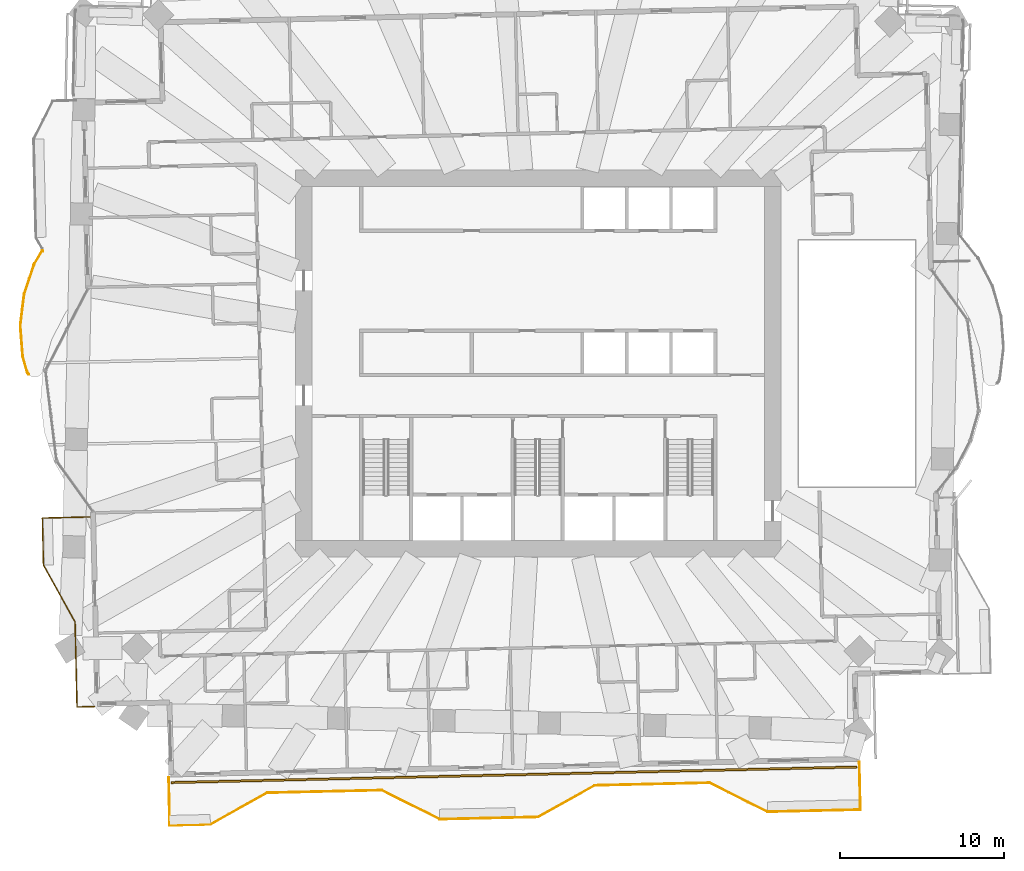
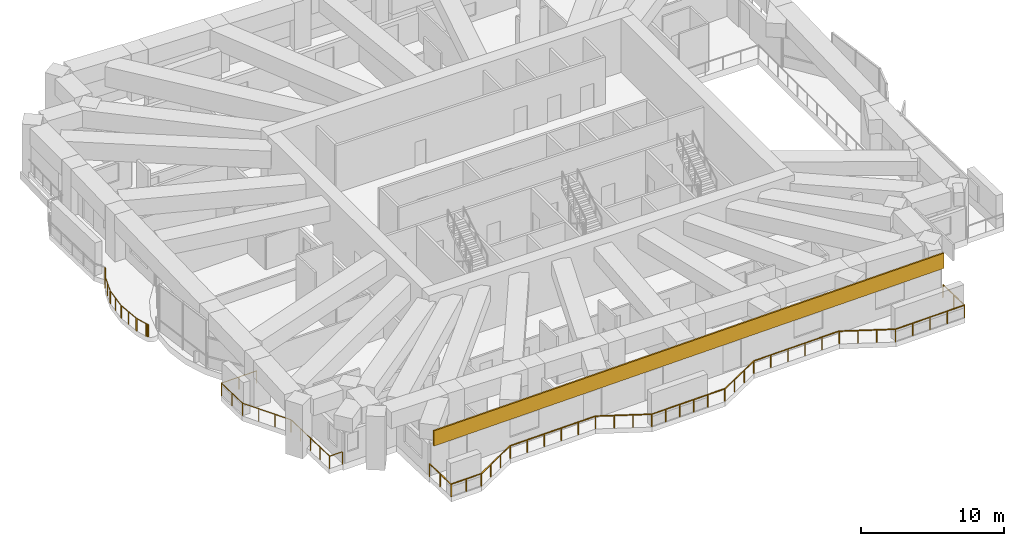
# One storey, part 16 of 21: 3 railings, 1 covering.
"""IFC4 building model written with IfcOpenShell, lengths in metres."""

import ifcopenshell
import ifcopenshell.guid

model = None  # the IFC model being written
_history = None  # IfcOwnerHistory: only IFC2X3 demands one
_inside = {}  # id of a spatial element -> (the spatial element, [elements in it])
_under = {}  # id of a project, library or spatial element -> (it, [spatial elements below it])
_declared = {}  # id of a project -> (the project, [libraries it declares])
_typed = {}  # id of a type object -> (the type object, [elements of that type])
_made_of = {}  # id of a material, layer set ... -> (it, [elements and type objects made of it])


def new_model(schema):
    """Start an empty IFC model of exactly this schema.

    Asked for "IFC4X3", IfcOpenShell would pick the latest addendum, in which some entities
    have other attributes; the version numbers below select the first issue.
    IFC2X3 requires an IfcOwnerHistory on every rooted entity: one is made here for all.
    """
    global model, _history
    if schema == "IFC4X3":
        model = ifcopenshell.file(schema_version=(4, 3, 0, 0))
    else:
        model = ifcopenshell.file(schema=schema)
    _inside.clear()
    _under.clear()
    _declared.clear()
    _typed.clear()
    _made_of.clear()
    _history = None
    if model.schema == "IFC2X3":
        org = make("IfcOrganization", Name="unknown")
        user = make(
            "IfcPersonAndOrganization",
            ThePerson=make("IfcPerson", FamilyName="unknown"),
            TheOrganization=org,
        )
        app = make(
            "IfcApplication",
            ApplicationDeveloper=org,
            Version="unknown",
            ApplicationFullName="unknown",
            ApplicationIdentifier="unknown",
        )
        _history = make(
            "IfcOwnerHistory",
            OwningUser=user,
            OwningApplication=app,
            ChangeAction="ADDED",
            CreationDate=0,
        )
    return model


def make(cls, **values):
    """One entity of the class cls with the attributes given. An attribute that is None is left unset."""
    return model.create_entity(
        cls, **{name: value for name, value in values.items() if value is not None}
    )


def rooted(cls, **values):
    """An entity with a GlobalId (a new one), such as an element, a storey or a relation."""
    return make(cls, GlobalId=ifcopenshell.guid.new(), OwnerHistory=_history, **values)


def si_unit(unit_type, name, prefix=None):
    """IfcSIUnit, for example si_unit("LENGTHUNIT", "METRE", prefix="MILLI")."""
    return make("IfcSIUnit", UnitType=unit_type, Prefix=prefix, Name=name)


def assignment(units):
    """IfcUnitAssignment: the units of a project."""
    return None if units is None else make("IfcUnitAssignment", Units=units)


def point(xyz):
    """IfcCartesianPoint."""
    return None if xyz is None else make("IfcCartesianPoint", Coordinates=xyz)


def direction(xyz):
    """IfcDirection."""
    return None if xyz is None else make("IfcDirection", DirectionRatios=xyz)


def frame(location, z_axis=None, x_axis=None):
    """IfcAxis2Placement3D, a coordinate frame: its origin and axes. An axis left out is left unset."""
    return make(
        "IfcAxis2Placement3D",
        Location=point(location),
        Axis=direction(z_axis),
        RefDirection=direction(x_axis),
    )


def frame_2d(location, x_axis=None):
    """IfcAxis2Placement2D, a coordinate frame in the plane: its origin and x axis."""
    return make(
        "IfcAxis2Placement2D", Location=point(location), RefDirection=direction(x_axis)
    )


def origin():
    """The frame at (0, 0, 0) with its axes left unset."""
    return frame((0.0, 0.0, 0.0))


def origin_2d():
    """The frame at (0, 0) in the plane with its x axis left unset."""
    return frame_2d((0.0, 0.0))


def place(relative_to, where):
    """IfcLocalPlacement: puts the frame where relative to a parent placement (None: the world)."""
    return make(
        "IfcLocalPlacement", PlacementRelTo=relative_to, RelativePlacement=where
    )


def context(
    kind, dimensions, precision=None, world=None, true_north=None, identifier=None
):
    """IfcGeometricRepresentationContext, for example the 3D "Model" context."""
    return make(
        "IfcGeometricRepresentationContext",
        ContextIdentifier=identifier,
        ContextType=kind,
        CoordinateSpaceDimension=dimensions,
        Precision=precision,
        WorldCoordinateSystem=world,
        TrueNorth=true_north,
    )


def subcontext(parent, identifier, kind, view, scale=None):
    """IfcGeometricRepresentationSubContext, for example "Body" below "Model"."""
    return make(
        "IfcGeometricRepresentationSubContext",
        ContextIdentifier=identifier,
        ContextType=kind,
        ParentContext=parent,
        TargetScale=scale,
        TargetView=view,
    )


def project(units=None, contexts=None):
    """IfcProject with its units and contexts."""
    return rooted(
        "IfcProject",
        Name="project",
        RepresentationContexts=contexts,
        UnitsInContext=assignment(units),
    )


def spatial(cls, under=None, at=None, **own):
    """A site, building, storey or space (cls), placed at a placement, below another one or the project."""
    s = rooted(cls, ObjectPlacement=at, **own)
    if under is not None:
        _under.setdefault(under.id(), (under, []))[1].append(s)
    return s


def profile(cls, at=None, kind="AREA", **sizes):
    """A parametric profile (cls). Its sizes go by their IFC names, for example OverallWidth=200.0."""
    return make(cls, ProfileType=kind, Position=at, **sizes)


def rectangle(**sizes):
    """IfcRectangleProfileDef."""
    return profile("IfcRectangleProfileDef", **sizes)


def extrude(swept, where, along, depth):
    """IfcExtrudedAreaSolid: the profile swept, set in the frame where, extruded along a direction by depth."""
    return make(
        "IfcExtrudedAreaSolid",
        SweptArea=swept,
        Position=where,
        ExtrudedDirection=direction(along),
        Depth=depth,
    )


def shape(context_of_items, identifier, shape_type, items):
    """IfcShapeRepresentation: the items that make up one representation, for example the "Body"."""
    return make(
        "IfcShapeRepresentation",
        ContextOfItems=context_of_items,
        RepresentationIdentifier=identifier,
        RepresentationType=shape_type,
        Items=items,
    )


def material(Name=None, Category=None):
    """IfcMaterial."""
    return make("IfcMaterial", Name=Name, Category=Category)


def layer(
    of_material, thickness, ventilated=None, Name=None, Category=None, Priority=None
):
    """IfcMaterialLayer: one layer of a wall or slab, of a material (None: an air gap)."""
    return make(
        "IfcMaterialLayer",
        Material=of_material,
        LayerThickness=thickness,
        IsVentilated=ventilated,
        Name=Name,
        Category=Category,
        Priority=Priority,
    )


def layer_set(layers, Name=None):
    """IfcMaterialLayerSet."""
    return make("IfcMaterialLayerSet", MaterialLayers=layers, LayerSetName=Name)


def made_of(thing, what):
    """Note that an element or type object is made of a material, layer set ...; save() writes the relation."""
    if what is not None:
        _made_of.setdefault(what.id(), (what, []))[1].append(thing)
    return thing


def type_object(cls, material=None, **own):
    """A type object (cls), such as IfcWallType, which elements share."""
    return made_of(rooted(cls, **own), material)


def element(
    cls,
    number,
    at=None,
    inside=None,
    cuts=None,
    type_object=None,
    material=None,
    context=None,
    identifier="Body",
    shape_type=None,
    held_by="IfcProductDefinitionShape",
    body=None,
    shapes=None,
    **own,
):
    """One element of the class cls, such as IfcWall. Its Tag is "e" and its number.

    at: its placement. inside: the storey or other place that contains it. cuts: it is an
    opening in that element (IfcRelVoidsElement). A single representation is given by context,
    identifier, shape_type and body (its items); several are given by shapes. held_by: the class
    of the entity that holds the representations. save() writes the other relations.
    """
    e = rooted(cls, Tag="e%d" % number, ObjectPlacement=at, **own)
    if body is not None:
        shapes = [shape(context, identifier, shape_type, body)]
    if shapes is not None:
        e.Representation = make(held_by, Representations=shapes)
    if inside is not None:
        _inside.setdefault(inside.id(), (inside, []))[1].append(e)
    if cuts is not None:
        rooted(
            "IfcRelVoidsElement", RelatingBuildingElement=cuts, RelatedOpeningElement=e
        )
    if type_object is not None:
        _typed.setdefault(type_object.id(), (type_object, []))[1].append(e)
    return made_of(e, material)


def aggregate(whole, parts):
    """IfcRelAggregates: a whole, such as a stair, and the parts it consists of."""
    return rooted("IfcRelAggregates", RelatingObject=whole, RelatedObjects=parts)


def save(model, path):
    """Write the relations noted so far, then the file.

    IfcRelAggregates (storeys below a building ...), IfcRelContainedInSpatialStructure (elements
    in a storey), IfcRelDefinesByType, IfcRelAssociatesMaterial and IfcRelDeclares: one each for
    every whole, place, type object, material and project.
    """
    for whole, parts in _under.values():
        aggregate(whole, parts)
    for where, things in _inside.values():
        rooted(
            "IfcRelContainedInSpatialStructure",
            RelatedElements=things,
            RelatingStructure=where,
        )
    for kind, things in _typed.values():
        rooted("IfcRelDefinesByType", RelatedObjects=things, RelatingType=kind)
    for what, things in _made_of.values():
        rooted("IfcRelAssociatesMaterial", RelatedObjects=things, RelatingMaterial=what)
    for by, libraries in _declared.values():
        rooted("IfcRelDeclares", RelatingContext=by, RelatedDefinitions=libraries)
    model.write(path)


model = new_model("IFC4")

# Units and contexts
model_context = context("Model", 3, precision=1e-05, world=origin(), true_north=direction((0.0, 1.0)))
body_context = subcontext(model_context, "Body", "Model", "MODEL_VIEW")
ifc_project = project(units=[si_unit("LENGTHUNIT", "METRE"), si_unit("AREAUNIT", "SQUARE_METRE"), si_unit("VOLUMEUNIT", "CUBIC_METRE"), si_unit("PLANEANGLEUNIT", "RADIAN"), si_unit("MASSUNIT", "GRAM", prefix="KILO")], contexts=[model_context])

# Site, building, storey
site_placement = place(None, origin())
site = spatial("IfcSite", under=ifc_project, at=site_placement, CompositionType="ELEMENT")
building_placement = place(site_placement, origin())
building = spatial("IfcBuilding", under=site, at=building_placement, Name="Mangrove Gate Tower", CompositionType="ELEMENT")
storey_placement = place(building_placement, frame((0.0, 0.0, 125.5)))
storey = spatial("IfcBuildingStorey", under=building, at=storey_placement, Name="L31", CompositionType="ELEMENT", Elevation=125.5)

# Railings
ifc_material_1 = material(Name="Stainless steel grade 316 with laminated glass infill", Category="steel")
railing_type = type_object("IfcRailingType", Name="Balcony guard 1100", PredefinedType="GUARDRAIL", material=ifc_material_1)
railing_1_placement = place(storey_placement, frame((-27.343994140625, -9.361083984375, 0.0)))
element("IfcRailing", 1, at=railing_1_placement, inside=storey, type_object=railing_type, Name="GUARD L31 W2", PredefinedType="GUARDRAIL", context=body_context, shape_type="SweptSolid", body=[
    extrude(rectangle(XDim=0.048095703125, YDim=0.048095703125, at=origin_2d()), frame((0.0, 0.0, 1.076171875), z_axis=(-0.999743349437, -0.022654696127, 0.0), x_axis=(0.022654696127, -0.999743349437, 0.0)), (0.0, 0.0, 1.0), 2.90966796875),
    extrude(rectangle(XDim=0.048095703125, YDim=0.048095703125, at=origin_2d()), frame((-2.908935546875, -0.06591796875, 1.076171875), z_axis=(0.022590224177, -0.999744808324, 0.0), x_axis=(0.999744808324, 0.022590224177, 0.0)), (0.0, 0.0, 1.0), 2.874755859375),
    extrude(rectangle(XDim=0.048095703125, YDim=0.048095703125, at=origin_2d()), frame((-2.843994140625, -2.93994140625, 1.076171875), z_axis=(0.48726008209, -0.87325689943, 0.0), x_axis=(0.87325689943, 0.48726008209, 0.0)), (0.0, 0.0, 1.0), 3.958740234375),
    extrude(rectangle(XDim=0.048095703125, YDim=0.048095703125, at=origin_2d()), frame((-0.9150390625, -6.39697265625, 1.076171875), z_axis=(0.022675548694, -0.99974287669, 0.0), x_axis=(0.99974287669, 0.022675548694, 0.0)), (0.0, 0.0, 1.0), 5.2001953125),
    extrude(rectangle(XDim=0.048095703125, YDim=0.048095703125, at=origin_2d()), frame((-0.797119140625, -11.595947265625, 1.076171875), z_axis=(0.999745389313, 0.022564497502, 0.0), x_axis=(-0.022564497502, 0.999745389313, 0.0)), (0.0, 0.0, 1.0), 1.060302734375),
    extrude(rectangle(XDim=0.0419921875, YDim=0.0419921875, at=origin_2d()), origin(), (0.0, 0.0, 1.0), 1.052001953125),
    extrude(rectangle(XDim=0.0419921875, YDim=0.0419921875, at=origin_2d()), frame((-1.45458984375, -0.032958984375, 0.0)), (0.0, 0.0, 1.0), 1.052001953125),
    extrude(rectangle(XDim=0.0419921875, YDim=0.0419921875, at=origin_2d()), frame((-2.908935546875, -0.06591796875, 0.0)), (0.0, 0.0, 1.0), 1.052001953125),
    extrude(rectangle(XDim=0.0419921875, YDim=0.0419921875, at=origin_2d()), frame((-2.87646484375, -1.5029296875, 0.0)), (0.0, 0.0, 1.0), 1.052001953125),
    extrude(rectangle(XDim=0.0419921875, YDim=0.0419921875, at=origin_2d()), frame((-2.843994140625, -2.93994140625, 0.0)), (0.0, 0.0, 1.0), 1.052001953125),
    extrude(rectangle(XDim=0.0419921875, YDim=0.0419921875, at=origin_2d()), frame((-2.200927734375, -4.09228515625, 0.0)), (0.0, 0.0, 1.0), 1.052001953125),
    extrude(rectangle(XDim=0.0419921875, YDim=0.0419921875, at=origin_2d()), frame((-1.55810546875, -5.24462890625, 0.0)), (0.0, 0.0, 1.0), 1.052001953125),
    extrude(rectangle(XDim=0.0419921875, YDim=0.0419921875, at=origin_2d()), frame((-0.9150390625, -6.39697265625, 0.0)), (0.0, 0.0, 1.0), 1.052001953125),
    extrude(rectangle(XDim=0.0419921875, YDim=0.0419921875, at=origin_2d()), frame((-0.885498046875, -7.69677734375, 0.0)), (0.0, 0.0, 1.0), 1.052001953125),
    extrude(rectangle(XDim=0.0419921875, YDim=0.0419921875, at=origin_2d()), frame((-0.85595703125, -8.99658203125, 0.0)), (0.0, 0.0, 1.0), 1.052001953125),
    extrude(rectangle(XDim=0.0419921875, YDim=0.0419921875, at=origin_2d()), frame((-0.82666015625, -10.296142578125, 0.0)), (0.0, 0.0, 1.0), 1.052001953125),
    extrude(rectangle(XDim=0.0419921875, YDim=0.0419921875, at=origin_2d()), frame((-0.797119140625, -11.595947265625, 0.0)), (0.0, 0.0, 1.0), 1.052001953125),
    extrude(rectangle(XDim=0.0419921875, YDim=0.0419921875, at=origin_2d()), frame((0.262939453125, -11.572021484375, 0.0)), (0.0, 0.0, 1.0), 1.052001953125),
])
railing_2_placement = place(storey_placement, frame((-22.541015625, -25.27099609375, 0.0)))
element("IfcRailing", 2, at=railing_2_placement, inside=storey, type_object=railing_type, Name="GUARD L31 S1", PredefinedType="GUARDRAIL", context=body_context, shape_type="SweptSolid", body=[
    extrude(rectangle(XDim=0.048095703125, YDim=0.048095703125, at=origin_2d()), frame((0.0, 0.0, 1.076171875), z_axis=(0.022319239446, -0.999750894749, 0.0), x_axis=(0.999750894749, 0.022319239446, 0.0)), (0.0, 0.0, 1.0), 2.90966796875),
    extrude(rectangle(XDim=0.048095703125, YDim=0.048095703125, at=origin_2d()), frame((0.06494140625, -2.908935546875, 1.076171875), z_axis=(0.999744377796, 0.022609269456, 0.0), x_axis=(-0.022609269456, 0.999744377796, 0.0)), (0.0, 0.0, 1.0), 2.472900390625),
    extrude(rectangle(XDim=0.048095703125, YDim=0.048095703125, at=origin_2d()), frame((2.537109375, -2.85302734375, 1.076171875), z_axis=(0.873242256246, 0.487286324359, 0.0), x_axis=(-0.487286324359, 0.873242256246, 0.0)), (0.0, 0.0, 1.0), 3.95849609375),
    extrude(rectangle(XDim=0.048095703125, YDim=0.048095703125, at=origin_2d()), frame((5.993896484375, -0.924072265625, 1.076171875), z_axis=(0.999745352708, 0.022566119286, 0.0), x_axis=(-0.022566119286, 0.999745352708, 0.0)), (0.0, 0.0, 1.0), 6.999755859375),
    extrude(rectangle(XDim=0.048095703125, YDim=0.048095703125, at=origin_2d()), frame((12.991943359375, -0.76611328125, 1.076171875), z_axis=(0.894501186021, -0.447065574839, 0.0), x_axis=(0.447065574839, 0.894501186021, 0.0)), (0.0, 0.0, 1.0), 3.958740234375),
    extrude(rectangle(XDim=0.048095703125, YDim=0.048095703125, at=origin_2d()), frame((16.532958984375, -2.535888671875, 1.076171875), z_axis=(0.999739584003, 0.022820258049, 0.0), x_axis=(-0.022820258049, 0.999739584003, 0.0)), (0.0, 0.0, 1.0), 4.600341796875),
    extrude(rectangle(XDim=0.048095703125, YDim=0.048095703125, at=origin_2d()), frame((21.132080078125, -2.430908203125, 1.076171875), z_axis=(0.999754810245, 0.022143156767, 0.0), x_axis=(-0.022143156767, 0.999754810245, 0.0)), (0.0, 0.0, 1.0), 1.400146484375),
    extrude(rectangle(XDim=0.048095703125, YDim=0.048095703125, at=origin_2d()), frame((22.531982421875, -2.39990234375, 1.076171875), z_axis=(0.87325689943, 0.48726008209, 0.0), x_axis=(-0.48726008209, 0.87325689943, 0.0)), (0.0, 0.0, 1.0), 3.958740234375),
    extrude(rectangle(XDim=0.048095703125, YDim=0.048095703125, at=origin_2d()), frame((25.989013671875, -0.470947265625, 1.076171875), z_axis=(0.999742195543, 0.022705559911, 0.0), x_axis=(-0.022705559911, 0.999742195543, 0.0)), (0.0, 0.0, 1.0), 6.999755859375),
    extrude(rectangle(XDim=0.048095703125, YDim=0.048095703125, at=origin_2d()), frame((32.987060546875, -0.31201171875, 1.076171875), z_axis=(0.894476522376, -0.447114919141, 0.0), x_axis=(0.447114919141, 0.894476522376, 0.0)), (0.0, 0.0, 1.0), 3.958740234375),
    extrude(rectangle(XDim=0.048095703125, YDim=0.048095703125, at=origin_2d()), frame((36.528076171875, -2.08203125, 1.076171875), z_axis=(0.999741746657, 0.022725316094, 0.0), x_axis=(-0.022725316094, 0.999741746657, 0.0)), (0.0, 0.0, 1.0), 5.67236328125),
    extrude(rectangle(XDim=0.048095703125, YDim=0.048095703125, at=origin_2d()), frame((42.198974609375, -1.953125, 1.076171875), z_axis=(-0.022652795902, 0.999743392495, 0.0), x_axis=(-0.999743392495, -0.022652795902, 0.0)), (0.0, 0.0, 1.0), 2.909912109375),
    extrude(rectangle(XDim=0.0419921875, YDim=0.0419921875, at=origin_2d()), origin(), (0.0, 0.0, 1.0), 1.052001953125),
    extrude(rectangle(XDim=0.0419921875, YDim=0.0419921875, at=origin_2d()), frame((0.032470703125, -1.45458984375, 0.0)), (0.0, 0.0, 1.0), 1.052001953125),
    extrude(rectangle(XDim=0.0419921875, YDim=0.0419921875, at=origin_2d()), frame((0.06494140625, -2.908935546875, 0.0)), (0.0, 0.0, 1.0), 1.052001953125),
    extrude(rectangle(XDim=0.0419921875, YDim=0.0419921875, at=origin_2d()), frame((1.301025390625, -2.880859375, 0.0)), (0.0, 0.0, 1.0), 1.052001953125),
    extrude(rectangle(XDim=0.0419921875, YDim=0.0419921875, at=origin_2d()), frame((2.537109375, -2.85302734375, 0.0)), (0.0, 0.0, 1.0), 1.052001953125),
    extrude(rectangle(XDim=0.0419921875, YDim=0.0419921875, at=origin_2d()), frame((3.689453125, -2.2099609375, 0.0)), (0.0, 0.0, 1.0), 1.052001953125),
    extrude(rectangle(XDim=0.0419921875, YDim=0.0419921875, at=origin_2d()), frame((4.841552734375, -1.567138671875, 0.0)), (0.0, 0.0, 1.0), 1.052001953125),
    extrude(rectangle(XDim=0.0419921875, YDim=0.0419921875, at=origin_2d()), frame((5.993896484375, -0.924072265625, 0.0)), (0.0, 0.0, 1.0), 1.052001953125),
    extrude(rectangle(XDim=0.0419921875, YDim=0.0419921875, at=origin_2d()), frame((7.3935546875, -0.892578125, 0.0)), (0.0, 0.0, 1.0), 1.052001953125),
    extrude(rectangle(XDim=0.0419921875, YDim=0.0419921875, at=origin_2d()), frame((8.793212890625, -0.86083984375, 0.0)), (0.0, 0.0, 1.0), 1.052001953125),
    extrude(rectangle(XDim=0.0419921875, YDim=0.0419921875, at=origin_2d()), frame((10.192626953125, -0.829345703125, 0.0)), (0.0, 0.0, 1.0), 1.052001953125),
    extrude(rectangle(XDim=0.0419921875, YDim=0.0419921875, at=origin_2d()), frame((11.59228515625, -0.797607421875, 0.0)), (0.0, 0.0, 1.0), 1.052001953125),
    extrude(rectangle(XDim=0.0419921875, YDim=0.0419921875, at=origin_2d()), frame((12.991943359375, -0.76611328125, 0.0)), (0.0, 0.0, 1.0), 1.052001953125),
    extrude(rectangle(XDim=0.0419921875, YDim=0.0419921875, at=origin_2d()), frame((14.17236328125, -1.35595703125, 0.0)), (0.0, 0.0, 1.0), 1.052001953125),
    extrude(rectangle(XDim=0.0419921875, YDim=0.0419921875, at=origin_2d()), frame((15.3525390625, -1.946044921875, 0.0)), (0.0, 0.0, 1.0), 1.052001953125),
    extrude(rectangle(XDim=0.0419921875, YDim=0.0419921875, at=origin_2d()), frame((16.532958984375, -2.535888671875, 0.0)), (0.0, 0.0, 1.0), 1.052001953125),
    extrude(rectangle(XDim=0.0419921875, YDim=0.0419921875, at=origin_2d()), frame((17.6826171875, -2.509765625, 0.0)), (0.0, 0.0, 1.0), 1.052001953125),
    extrude(rectangle(XDim=0.0419921875, YDim=0.0419921875, at=origin_2d()), frame((18.83251953125, -2.4833984375, 0.0)), (0.0, 0.0, 1.0), 1.052001953125),
    extrude(rectangle(XDim=0.0419921875, YDim=0.0419921875, at=origin_2d()), frame((19.982421875, -2.45703125, 0.0)), (0.0, 0.0, 1.0), 1.052001953125),
    extrude(rectangle(XDim=0.0419921875, YDim=0.0419921875, at=origin_2d()), frame((21.132080078125, -2.430908203125, 0.0)), (0.0, 0.0, 1.0), 1.052001953125),
    extrude(rectangle(XDim=0.0419921875, YDim=0.0419921875, at=origin_2d()), frame((22.531982421875, -2.39990234375, 0.0)), (0.0, 0.0, 1.0), 1.052001953125),
    extrude(rectangle(XDim=0.0419921875, YDim=0.0419921875, at=origin_2d()), frame((23.684326171875, -1.7568359375, 0.0)), (0.0, 0.0, 1.0), 1.052001953125),
    extrude(rectangle(XDim=0.0419921875, YDim=0.0419921875, at=origin_2d()), frame((24.836669921875, -1.114013671875, 0.0)), (0.0, 0.0, 1.0), 1.052001953125),
    extrude(rectangle(XDim=0.0419921875, YDim=0.0419921875, at=origin_2d()), frame((25.989013671875, -0.470947265625, 0.0)), (0.0, 0.0, 1.0), 1.052001953125),
    extrude(rectangle(XDim=0.0419921875, YDim=0.0419921875, at=origin_2d()), frame((27.388671875, -0.439208984375, 0.0)), (0.0, 0.0, 1.0), 1.052001953125),
    extrude(rectangle(XDim=0.0419921875, YDim=0.0419921875, at=origin_2d()), frame((28.788330078125, -0.407470703125, 0.0)), (0.0, 0.0, 1.0), 1.052001953125),
    extrude(rectangle(XDim=0.0419921875, YDim=0.0419921875, at=origin_2d()), frame((30.187744140625, -0.37548828125, 0.0)), (0.0, 0.0, 1.0), 1.052001953125),
    extrude(rectangle(XDim=0.0419921875, YDim=0.0419921875, at=origin_2d()), frame((31.58740234375, -0.34375, 0.0)), (0.0, 0.0, 1.0), 1.052001953125),
    extrude(rectangle(XDim=0.0419921875, YDim=0.0419921875, at=origin_2d()), frame((32.987060546875, -0.31201171875, 0.0)), (0.0, 0.0, 1.0), 1.052001953125),
    extrude(rectangle(XDim=0.0419921875, YDim=0.0419921875, at=origin_2d()), frame((34.16748046875, -0.902099609375, 0.0)), (0.0, 0.0, 1.0), 1.052001953125),
    extrude(rectangle(XDim=0.0419921875, YDim=0.0419921875, at=origin_2d()), frame((35.34765625, -1.491943359375, 0.0)), (0.0, 0.0, 1.0), 1.052001953125),
    extrude(rectangle(XDim=0.0419921875, YDim=0.0419921875, at=origin_2d()), frame((36.528076171875, -2.08203125, 0.0)), (0.0, 0.0, 1.0), 1.052001953125),
    extrude(rectangle(XDim=0.0419921875, YDim=0.0419921875, at=origin_2d()), frame((37.94580078125, -2.0498046875, 0.0)), (0.0, 0.0, 1.0), 1.052001953125),
    extrude(rectangle(XDim=0.0419921875, YDim=0.0419921875, at=origin_2d()), frame((39.363525390625, -2.017578125, 0.0)), (0.0, 0.0, 1.0), 1.052001953125),
    extrude(rectangle(XDim=0.0419921875, YDim=0.0419921875, at=origin_2d()), frame((40.78125, -1.9853515625, 0.0)), (0.0, 0.0, 1.0), 1.052001953125),
    extrude(rectangle(XDim=0.0419921875, YDim=0.0419921875, at=origin_2d()), frame((42.198974609375, -1.953125, 0.0)), (0.0, 0.0, 1.0), 1.052001953125),
    extrude(rectangle(XDim=0.0419921875, YDim=0.0419921875, at=origin_2d()), frame((42.166015625, -0.49853515625, 0.0)), (0.0, 0.0, 1.0), 1.052001953125),
    extrude(rectangle(XDim=0.0419921875, YDim=0.0419921875, at=origin_2d()), frame((42.133056640625, 0.9560546875, 0.0)), (0.0, 0.0, 1.0), 1.052001953125),
])
railing_3_placement = place(storey_placement, frame((-31.0869140625, -0.66796875, 0.0)))
element("IfcRailing", 3, at=railing_3_placement, inside=storey, type_object=railing_type, Name="GUARD L31 T3.1", PredefinedType="GUARDRAIL", context=body_context, shape_type="SweptSolid", body=[
    extrude(rectangle(XDim=0.048095703125, YDim=0.048095703125, at=origin_2d()), frame((0.0, 0.0, 1.076171875), z_axis=(-0.671814938486, 0.740719034741, 0.0), x_axis=(-0.740719034741, -0.671814938486, 0.0)), (0.0, 0.0, 1.0), 0.0283203125),
    extrude(rectangle(XDim=0.048095703125, YDim=0.048095703125, at=origin_2d()), frame((-0.01904296875, 0.02099609375, 1.076171875), z_axis=(-0.574132280643, 0.818762556743, 0.0), x_axis=(-0.818762556743, -0.574132280643, 0.0)), (0.0, 0.0, 1.0), 0.048828125),
    extrude(rectangle(XDim=0.048095703125, YDim=0.048095703125, at=origin_2d()), frame((-0.047119140625, 0.06103515625, 1.076171875), z_axis=(-0.486485672463, 0.873688554628, 0.0), x_axis=(-0.873688554628, -0.486485672463, 0.0)), (0.0, 0.0, 1.0), 0.049072265625),
    extrude(rectangle(XDim=0.048095703125, YDim=0.048095703125, at=origin_2d()), frame((-0.071044921875, 0.10400390625, 1.076171875), z_axis=(-0.431100712017, 0.90230381585, 0.0), x_axis=(-0.90230381585, -0.431100712017, 0.0)), (0.0, 0.0, 1.0), 0.048583984375),
    extrude(rectangle(XDim=0.048095703125, YDim=0.048095703125, at=origin_2d()), frame((-0.092041015625, 0.14794921875, 1.076171875), z_axis=(-0.313195230526, 0.94968876353, 0.0), x_axis=(-0.94968876353, -0.313195230526, 0.0)), (0.0, 0.0, 1.0), 0.04833984375),
    extrude(rectangle(XDim=0.048095703125, YDim=0.048095703125, at=origin_2d()), frame((-0.107177734375, 0.19384765625, 1.076171875), z_axis=(-0.273003685575, 0.962012987263, 0.0), x_axis=(-0.962012987263, -0.273003685575, 0.0)), (0.0, 0.0, 1.0), 0.882568359375),
    extrude(rectangle(XDim=0.048095703125, YDim=0.048095703125, at=origin_2d()), frame((-0.34814453125, 1.04296875, 1.076171875), z_axis=(-0.218472344851, 0.975843140333, 0.0), x_axis=(-0.975843140333, -0.218472344851, 0.0)), (0.0, 0.0, 1.0), 0.05029296875),
    extrude(rectangle(XDim=0.048095703125, YDim=0.048095703125, at=origin_2d()), frame((-0.359130859375, 1.092041015625, 1.076171875), z_axis=(-0.13532888071, 0.990800733773, 0.0), x_axis=(-0.990800733773, -0.13532888071, 0.0)), (0.0, 0.0, 1.0), 0.050537109375),
    extrude(rectangle(XDim=0.048095703125, YDim=0.048095703125, at=origin_2d()), frame((-0.365966796875, 1.14208984375, 1.076171875), z_axis=(-0.076789216183, 0.997047349065, 0.0), x_axis=(-0.997047349065, -0.076789216183, 0.0)), (0.0, 0.0, 1.0), 1.812255859375),
    extrude(rectangle(XDim=0.048095703125, YDim=0.048095703125, at=origin_2d()), frame((-0.505126953125, 2.948974609375, 1.076171875), z_axis=(-0.03899470896, 0.999239417093, 0.0), x_axis=(-0.999239417093, -0.03899470896, 0.0)), (0.0, 0.0, 1.0), 0.050048828125),
    extrude(rectangle(XDim=0.048095703125, YDim=0.048095703125, at=origin_2d()), frame((-0.507080078125, 2.9990234375, 1.076171875), z_axis=(0.079745222283, 0.996815278536, 0.0), x_axis=(-0.996815278536, 0.079745222283, 0.0)), (0.0, 0.0, 1.0), 0.049072265625),
    extrude(rectangle(XDim=0.048095703125, YDim=0.048095703125, at=origin_2d()), frame((-0.503173828125, 3.0478515625, 1.076171875), z_axis=(0.122028644394, 0.992526578963, 0.0), x_axis=(-0.992526578963, 0.122028644394, 0.0)), (0.0, 0.0, 1.0), 1.8125),
    extrude(rectangle(XDim=0.048095703125, YDim=0.048095703125, at=origin_2d()), frame((-0.281982421875, 4.846923828125, 1.076171875), z_axis=(0.17296302183, 0.984928318752, 0.0), x_axis=(-0.984928318752, 0.17296302183, 0.0)), (0.0, 0.0, 1.0), 0.05078125),
    extrude(rectangle(XDim=0.048095703125, YDim=0.048095703125, at=origin_2d()), frame((-0.273193359375, 4.89697265625, 1.076171875), z_axis=(0.26435990501, 0.964424097907, 0.0), x_axis=(-0.964424097907, 0.26435990501, 0.0)), (0.0, 0.0, 1.0), 0.0498046875),
    extrude(rectangle(XDim=0.048095703125, YDim=0.048095703125, at=origin_2d()), frame((-0.260009765625, 4.945068359375, 1.076171875), z_axis=(0.316712695221, 0.94852151725, 0.0), x_axis=(-0.94852151725, 0.316712695221, 0.0)), (0.0, 0.0, 1.0), 1.812255859375),
    extrude(rectangle(XDim=0.048095703125, YDim=0.048095703125, at=origin_2d()), frame((0.31396484375, 6.6640625, 1.076171875), z_axis=(0.359630314567, 0.933094870227, 0.0), x_axis=(-0.933094870227, 0.359630314567, 0.0)), (0.0, 0.0, 1.0), 0.05029296875),
    extrude(rectangle(XDim=0.048095703125, YDim=0.048095703125, at=origin_2d()), frame((0.33203125, 6.7109375, 1.076171875), z_axis=(0.462902565911, 0.886409168766, 0.0), x_axis=(-0.886409168766, 0.462902565911, 0.0)), (0.0, 0.0, 1.0), 0.049560546875),
    extrude(rectangle(XDim=0.048095703125, YDim=0.048095703125, at=origin_2d()), frame((0.35498046875, 6.7548828125, 1.076171875), z_axis=(0.498232332495, 0.867043564566, 0.0), x_axis=(-0.867043564566, 0.498232332495, 0.0)), (0.0, 0.0, 1.0), 0.94140625),
    extrude(rectangle(XDim=0.048095703125, YDim=0.048095703125, at=origin_2d()), frame((0.823974609375, 7.571044921875, 1.076171875), z_axis=(0.478852130681, -0.877895572914, 0.0), x_axis=(0.877895572914, 0.478852130681, 0.0)), (0.0, 0.0, 1.0), 0.05810546875),
    extrude(rectangle(XDim=0.0419921875, YDim=0.0419921875, at=origin_2d()), origin(), (0.0, 0.0, 1.0), 1.052001953125),
    extrude(rectangle(XDim=0.0419921875, YDim=0.0419921875, at=origin_2d()), frame((-0.01904296875, 0.02099609375, 0.0)), (0.0, 0.0, 1.0), 1.052001953125),
    extrude(rectangle(XDim=0.0419921875, YDim=0.0419921875, at=origin_2d()), frame((-0.047119140625, 0.06103515625, 0.0)), (0.0, 0.0, 1.0), 1.052001953125),
    extrude(rectangle(XDim=0.0419921875, YDim=0.0419921875, at=origin_2d()), frame((-0.071044921875, 0.10400390625, 0.0)), (0.0, 0.0, 1.0), 1.052001953125),
    extrude(rectangle(XDim=0.0419921875, YDim=0.0419921875, at=origin_2d()), frame((-0.092041015625, 0.14794921875, 0.0)), (0.0, 0.0, 1.0), 1.052001953125),
    extrude(rectangle(XDim=0.0419921875, YDim=0.0419921875, at=origin_2d()), frame((-0.107177734375, 0.19384765625, 0.0)), (0.0, 0.0, 1.0), 1.052001953125),
    extrude(rectangle(XDim=0.0419921875, YDim=0.0419921875, at=origin_2d()), frame((-0.34814453125, 1.04296875, 0.0)), (0.0, 0.0, 1.0), 1.052001953125),
    extrude(rectangle(XDim=0.0419921875, YDim=0.0419921875, at=origin_2d()), frame((-0.359130859375, 1.092041015625, 0.0)), (0.0, 0.0, 1.0), 1.052001953125),
    extrude(rectangle(XDim=0.0419921875, YDim=0.0419921875, at=origin_2d()), frame((-0.365966796875, 1.14208984375, 0.0)), (0.0, 0.0, 1.0), 1.052001953125),
    extrude(rectangle(XDim=0.0419921875, YDim=0.0419921875, at=origin_2d()), frame((-0.435546875, 2.04541015625, 0.0)), (0.0, 0.0, 1.0), 1.052001953125),
    extrude(rectangle(XDim=0.0419921875, YDim=0.0419921875, at=origin_2d()), frame((-0.505126953125, 2.948974609375, 0.0)), (0.0, 0.0, 1.0), 1.052001953125),
    extrude(rectangle(XDim=0.0419921875, YDim=0.0419921875, at=origin_2d()), frame((-0.507080078125, 2.9990234375, 0.0)), (0.0, 0.0, 1.0), 1.052001953125),
    extrude(rectangle(XDim=0.0419921875, YDim=0.0419921875, at=origin_2d()), frame((-0.503173828125, 3.0478515625, 0.0)), (0.0, 0.0, 1.0), 1.052001953125),
    extrude(rectangle(XDim=0.0419921875, YDim=0.0419921875, at=origin_2d()), frame((-0.392578125, 3.947265625, 0.0)), (0.0, 0.0, 1.0), 1.052001953125),
    extrude(rectangle(XDim=0.0419921875, YDim=0.0419921875, at=origin_2d()), frame((-0.281982421875, 4.846923828125, 0.0)), (0.0, 0.0, 1.0), 1.052001953125),
    extrude(rectangle(XDim=0.0419921875, YDim=0.0419921875, at=origin_2d()), frame((-0.273193359375, 4.89697265625, 0.0)), (0.0, 0.0, 1.0), 1.052001953125),
    extrude(rectangle(XDim=0.0419921875, YDim=0.0419921875, at=origin_2d()), frame((-0.260009765625, 4.945068359375, 0.0)), (0.0, 0.0, 1.0), 1.052001953125),
    extrude(rectangle(XDim=0.0419921875, YDim=0.0419921875, at=origin_2d()), frame((0.02685546875, 5.8046875, 0.0)), (0.0, 0.0, 1.0), 1.052001953125),
    extrude(rectangle(XDim=0.0419921875, YDim=0.0419921875, at=origin_2d()), frame((0.31396484375, 6.6640625, 0.0)), (0.0, 0.0, 1.0), 1.052001953125),
    extrude(rectangle(XDim=0.0419921875, YDim=0.0419921875, at=origin_2d()), frame((0.33203125, 6.7109375, 0.0)), (0.0, 0.0, 1.0), 1.052001953125),
    extrude(rectangle(XDim=0.0419921875, YDim=0.0419921875, at=origin_2d()), frame((0.35498046875, 6.7548828125, 0.0)), (0.0, 0.0, 1.0), 1.052001953125),
    extrude(rectangle(XDim=0.0419921875, YDim=0.0419921875, at=origin_2d()), frame((0.823974609375, 7.571044921875, 0.0)), (0.0, 0.0, 1.0), 1.052001953125),
    extrude(rectangle(XDim=0.0419921875, YDim=0.0419921875, at=origin_2d()), frame((0.851806640625, 7.52001953125, 0.0)), (0.0, 0.0, 1.0), 1.052001953125),
])

# Covering
ifc_material_2 = material(Name="Limestone", Category="masonry")
ifc_layer_1 = layer(ifc_material_2, 0.0400390625, Name="Limestone cladding")
ifc_material_3 = material(Name="Stainless steel anchors and cavity", Category="steel")
ifc_layer_2 = layer(ifc_material_3, 0.080078125, Name="Fixing cavity")
ifc_layer_set = layer_set([ifc_layer_1, ifc_layer_2], Name="Joint fascia cladding 120")
covering_type = type_object("IfcCoveringType", Name="Joint fascia cladding 120", PredefinedType="CLADDING", material=ifc_layer_set)
covering_placement = place(storey_placement, frame((-22.385009765625, -25.56689453125, 2.75), z_axis=(0.0, 0.0, 1.0), x_axis=(0.999742269115, 0.022702320244, 0.0)))
element("IfcCovering", 4, at=covering_placement, inside=storey, type_object=covering_type, Name="STONE FASCIA L31 S13.1", PredefinedType="CLADDING", context=body_context, shape_type="SweptSolid", body=[
    extrude(rectangle(XDim=41.84375, YDim=0.1201171875, at=frame_2d((20.921875, 0.0))), origin(), (0.0, 0.0, 1.0), 1.300048828125),
])

save(model, "model.ifc")
